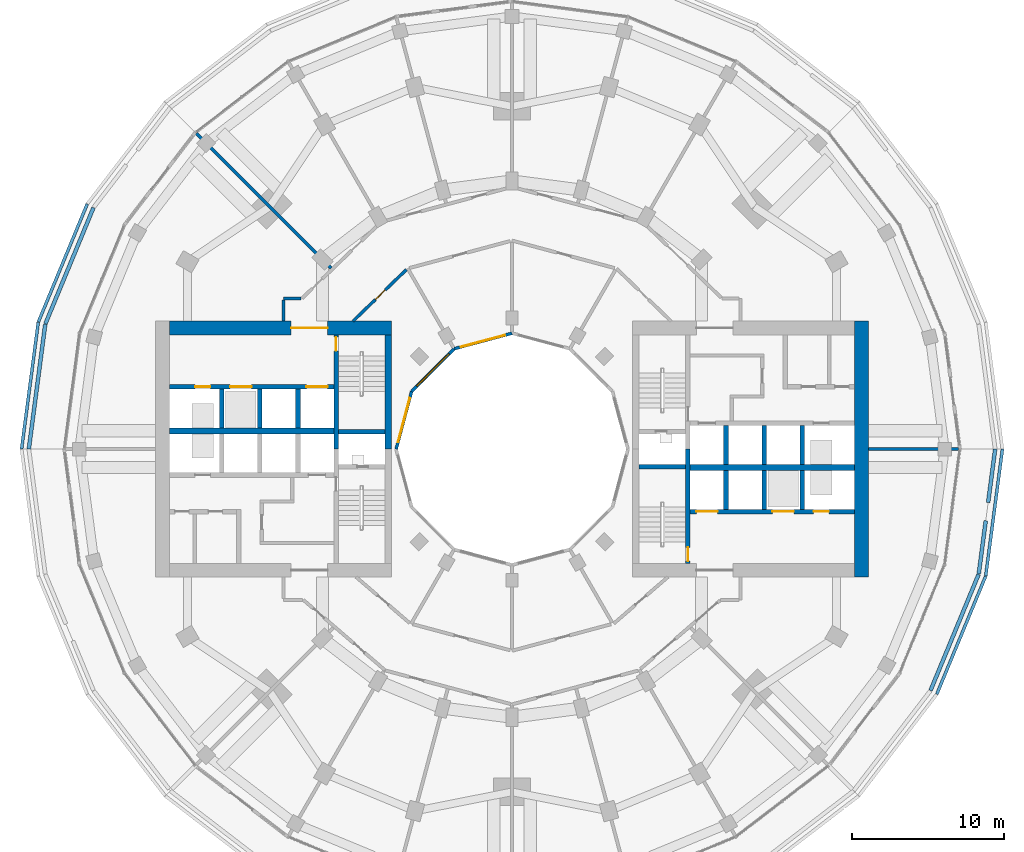
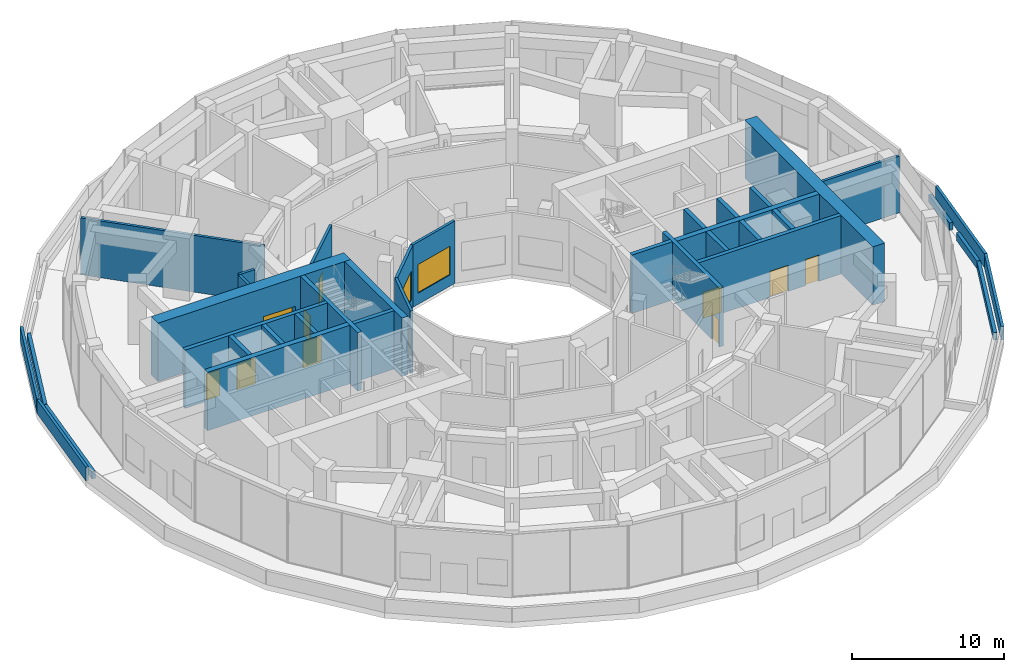
# One storey, part 14 of 19: 37 walls, 10 doors, 3 windows, 13 openings.
"""IFC4 building model written with IfcOpenShell, lengths in metres."""

from ifc_helpers import new_model, si_unit, direction, frame, frame_2d, origin, place, context, subcontext, project, spatial, rectangle, extrude, material, layer, layer_set, type_object, element, fill, save


model = new_model("IFC4")

# Units and contexts
model_context = context("Model", 3, precision=1e-05, world=origin(), true_north=direction((0.0, 1.0)))
body_context = subcontext(model_context, "Body", "Model", "MODEL_VIEW")
ifc_project = project(units=[si_unit("LENGTHUNIT", "METRE"), si_unit("AREAUNIT", "SQUARE_METRE"), si_unit("VOLUMEUNIT", "CUBIC_METRE"), si_unit("PLANEANGLEUNIT", "RADIAN"), si_unit("MASSUNIT", "GRAM", prefix="KILO")], contexts=[model_context])

# Site, building, storey
site_placement = place(None, origin())
site = spatial("IfcSite", under=ifc_project, at=site_placement, CompositionType="ELEMENT")
building_placement = place(site_placement, origin())
building = spatial("IfcBuilding", under=site, at=building_placement, Name="Torre Brocal", CompositionType="ELEMENT")
storey_placement = place(building_placement, frame((0.0, 0.0, 23.800048828125)))
storey = spatial("IfcBuildingStorey", under=building, at=storey_placement, Name="L04", CompositionType="ELEMENT", Elevation=23.800048828125)

# Wall, opening, door
ifc_material_1 = material(Name="Concrete C80", Category="concrete")
ifc_layer_1 = layer(ifc_material_1, 0.300048828125)
ifc_layer_set_1 = layer_set([ifc_layer_1], Name="Concrete C80")
wall_type_1 = type_object("IfcWallType", Name="CORE WALL 300 C80", PredefinedType="SHEAR", material=ifc_layer_set_1)
wall_1_placement = place(storey_placement, frame((91.550048828125, 67.5, 0.0), z_axis=(0.0, 0.0, 1.0), x_axis=(0.0, 1.0, 0.0)))
wall_1 = element("IfcWall", 1, at=wall_1_placement, inside=storey, type_object=wall_type_1, Name="Wall CW300-80", PredefinedType="SHEAR", context=body_context, shape_type="SweptSolid", body=[
    extrude(rectangle(XDim=7.5, YDim=0.300048828125, at=frame_2d((3.75, 0.0))), origin(), (0.0, 0.0, 1.0), 4.679931640625),
])
opening_1_placement = place(wall_1_placement, frame((0.14990234375, 0.0, 0.0)))
opening_1 = element("IfcOpeningElement", 2, at=opening_1_placement, cuts=wall_1, Name="Opening E-D03", PredefinedType="OPENING", context=body_context, shape_type="SweptSolid", body=[
    extrude(rectangle(XDim=0.89990234375, YDim=2.10009765625, at=frame_2d((0.449951171875, 1.050048828125))), frame((0.0, 0.159912109375, 0.0), z_axis=(0.0, -1.0, 0.0), x_axis=(1.0, 0.0, 0.0)), (0.0, 0.0, 1.0), 0.320068359375),
])
ifc_material_2 = material(Name="Steel A653", Category="steel")
door_type_1 = type_object("IfcDoorType", Name="STAIR DOOR FD120 900X2100", OperationType="SINGLE_SWING_RIGHT", PredefinedType="DOOR", material=ifc_material_2)
door_1_placement = place(opening_1_placement, origin())
door_1 = element("IfcDoor", 3, at=door_1_placement, inside=storey, type_object=door_type_1, Name="Door E-D03", OperationType="SINGLE_SWING_LEFT", OverallHeight=2.10009765625, OverallWidth=0.89990234375, PredefinedType="DOOR", context=body_context, shape_type="SweptSolid", body=[
    extrude(rectangle(XDim=0.89990234375, YDim=2.10009765625, at=frame_2d((0.449951171875, 1.050048828125))), frame((0.0, 0.02490234375, 0.0), z_axis=(0.0, -1.0, 0.0), x_axis=(1.0, 0.0, 0.0)), (0.0, 0.0, 1.0), 0.050048828125),
])
fill(opening_1, door_1)

# Wall
wall_2_placement = place(storey_placement, frame((88.35009765625, 73.85009765625, 0.0), z_axis=(0.0, 0.0, 1.0), x_axis=(1.0, 0.0, 0.0)))
element("IfcWall", 4, at=wall_2_placement, inside=storey, type_object=wall_type_1, Name="Wall CW300-80", PredefinedType="SHEAR", context=body_context, shape_type="SweptSolid", body=[
    extrude(rectangle(XDim=3.0498046875, YDim=0.300048828125, at=frame_2d((1.52490234375, 0.0))), origin(), (0.0, 0.0, 1.0), 4.679931640625),
])

# Wall, openings, doors
wall_3_placement = place(storey_placement, frame((91.699951171875, 70.89990234375, 0.0), z_axis=(0.0, 0.0, 1.0), x_axis=(1.0, 0.0, 0.0)))
wall_3 = element("IfcWall", 5, at=wall_3_placement, inside=storey, type_object=wall_type_1, Name="Wall CW300-80", PredefinedType="SHEAR", context=body_context, shape_type="SweptSolid", body=[
    extrude(rectangle(XDim=10.800048828125, YDim=0.300048828125, at=frame_2d((5.39990234375, 0.0))), origin(), (0.0, 0.0, 1.0), 4.679931640625),
])
opening_2_placement = place(wall_3_placement, frame((0.39990234375, 0.0, 0.0)))
opening_2 = element("IfcOpeningElement", 6, at=opening_2_placement, cuts=wall_3, Name="Opening LD14", PredefinedType="OPENING", context=body_context, shape_type="SweptSolid", body=[
    extrude(rectangle(XDim=1.39990234375, YDim=2.10009765625, at=frame_2d((0.699951171875, 1.050048828125))), frame((0.0, 0.159912109375, 0.0), z_axis=(0.0, -1.0, 0.0), x_axis=(1.0, 0.0, 0.0)), (0.0, 0.0, 1.0), 0.320068359375),
])
opening_3_placement = place(wall_3_placement, frame((5.39990234375, 0.0, 0.0)))
opening_3 = element("IfcOpeningElement", 7, at=opening_3_placement, cuts=wall_3, Name="Opening LD14", PredefinedType="OPENING", context=body_context, shape_type="SweptSolid", body=[
    extrude(rectangle(XDim=1.39990234375, YDim=2.10009765625, at=frame_2d((0.699951171875, 1.050048828125))), frame((0.0, 0.159912109375, 0.0), z_axis=(0.0, -1.0, 0.0), x_axis=(1.0, 0.0, 0.0)), (0.0, 0.0, 1.0), 0.320068359375),
])
opening_4_placement = place(wall_3_placement, frame((8.10009765625, 0.0, 0.0)))
opening_4 = element("IfcOpeningElement", 8, at=opening_4_placement, cuts=wall_3, Name="Opening LD10", PredefinedType="OPENING", context=body_context, shape_type="SweptSolid", body=[
    extrude(rectangle(XDim=1.0, YDim=2.10009765625, at=frame_2d((0.5, 1.050048828125))), frame((0.0, 0.159912109375, 0.0), z_axis=(0.0, -1.0, 0.0), x_axis=(1.0, 0.0, 0.0)), (0.0, 0.0, 1.0), 0.320068359375),
])
ifc_material_3 = material(Name="Stainless steel AISI 316", Category="steel")
door_type_2 = type_object("IfcDoorType", Name="LIFT LANDING DOOR 1000X2100", OperationType="DOUBLE_DOOR_SLIDING", PredefinedType="DOOR", material=ifc_material_3)
door_2_placement = place(opening_4_placement, origin())
door_2 = element("IfcDoor", 9, at=door_2_placement, inside=storey, type_object=door_type_2, Name="Door LD10", OperationType="DOUBLE_DOOR_SLIDING", OverallHeight=2.10009765625, OverallWidth=1.0, PredefinedType="DOOR", context=body_context, shape_type="SweptSolid", body=[
    extrude(rectangle(XDim=1.0, YDim=2.10009765625, at=frame_2d((0.5, 1.050048828125))), frame((0.0, 0.02490234375, 0.0), z_axis=(0.0, -1.0, 0.0), x_axis=(1.0, 0.0, 0.0)), (0.0, 0.0, 1.0), 0.050048828125),
])
fill(opening_4, door_2)
ifc_material_4 = material(Name="Stainless steel AISI 316", Category="steel")
door_type_3 = type_object("IfcDoorType", Name="LIFT LANDING DOOR 1400X2100", OperationType="DOUBLE_DOOR_SLIDING", PredefinedType="DOOR", material=ifc_material_4)
door_3_placement = place(opening_2_placement, origin())
door_3 = element("IfcDoor", 10, at=door_3_placement, inside=storey, type_object=door_type_3, Name="Door LD14", OperationType="DOUBLE_DOOR_SLIDING", OverallHeight=2.10009765625, OverallWidth=1.39990234375, PredefinedType="DOOR", context=body_context, shape_type="SweptSolid", body=[
    extrude(rectangle(XDim=1.39990234375, YDim=2.10009765625, at=frame_2d((0.699951171875, 1.050048828125))), frame((0.0, 0.02490234375, 0.0), z_axis=(0.0, -1.0, 0.0), x_axis=(1.0, 0.0, 0.0)), (0.0, 0.0, 1.0), 0.050048828125),
])
fill(opening_2, door_3)
door_4_placement = place(opening_3_placement, origin())
door_4 = element("IfcDoor", 11, at=door_4_placement, inside=storey, type_object=door_type_3, Name="Door LD14", OperationType="DOUBLE_DOOR_SLIDING", OverallHeight=2.10009765625, OverallWidth=1.39990234375, PredefinedType="DOOR", context=body_context, shape_type="SweptSolid", body=[
    extrude(rectangle(XDim=1.39990234375, YDim=2.10009765625, at=frame_2d((0.699951171875, 1.050048828125))), frame((0.0, 0.02490234375, 0.0), z_axis=(0.0, -1.0, 0.0), x_axis=(1.0, 0.0, 0.0)), (0.0, 0.0, 1.0), 0.050048828125),
])
fill(opening_3, door_4)

# Walls
for number, where, z_axis, x_axis, name in (
    (12, (94.050048828125, 74.0, 0.0), (0.0, 0.0, 1.0), (0.0, 1.0, 0.0), "Wall CW300-80"),
    (13, (96.550048828125, 74.0, 0.0), (0.0, 0.0, 1.0), (0.0, 1.0, 0.0), "Wall CW300-80"),
    (14, (99.050048828125, 74.0, 0.0), (0.0, 0.0, 1.0), (0.0, 1.0, 0.0), "Wall CW300-80"),
    (15, (94.050048828125, 71.050048828125, 0.0), (0.0, 0.0, 1.0), (0.0, 1.0, 0.0), "Wall CW300-80"),
    (16, (96.550048828125, 71.050048828125, 0.0), (0.0, 0.0, 1.0), (0.0, 1.0, 0.0), "Wall CW300-80"),
    (17, (99.050048828125, 71.050048828125, 0.0), (0.0, 0.0, 1.0), (0.0, 1.0, 0.0), "Wall CW300-80"),
):
    element("IfcWall", number, at=place(storey_placement, frame(where, z_axis=z_axis, x_axis=x_axis)), inside=storey, type_object=wall_type_1, Name=name, PredefinedType="SHEAR", context=body_context, shape_type="SweptSolid", body=[
        extrude(rectangle(XDim=2.550048828125, YDim=0.300048828125, at=frame_2d((1.27490234375, 0.0))), origin(), (0.0, 0.0, 1.0), 4.679931640625),
    ])

# Wall, opening, door
wall_4_placement = place(storey_placement, frame((68.449951171875, 82.5, 0.0), z_axis=(0.0, 0.0, 1.0), x_axis=(0.0, -1.0, 0.0)))
wall_4 = element("IfcWall", 18, at=wall_4_placement, inside=storey, type_object=wall_type_1, Name="Wall CW300-80", PredefinedType="SHEAR", context=body_context, shape_type="SweptSolid", body=[
    extrude(rectangle(XDim=7.5, YDim=0.300048828125, at=frame_2d((3.75, 0.0))), origin(), (0.0, 0.0, 1.0), 4.679931640625),
])
opening_5_placement = place(wall_4_placement, frame((0.14990234375, 0.0, 0.0)))
opening_5 = element("IfcOpeningElement", 19, at=opening_5_placement, cuts=wall_4, Name="Opening W-D03", PredefinedType="OPENING", context=body_context, shape_type="SweptSolid", body=[
    extrude(rectangle(XDim=0.89990234375, YDim=2.10009765625, at=frame_2d((0.449951171875, 1.050048828125))), frame((0.0, 0.159912109375, 0.0), z_axis=(0.0, -1.0, 0.0), x_axis=(1.0, 0.0, 0.0)), (0.0, 0.0, 1.0), 0.320068359375),
])
door_5_placement = place(opening_5_placement, origin())
door_5 = element("IfcDoor", 20, at=door_5_placement, inside=storey, type_object=door_type_1, Name="Door W-D03", OperationType="SINGLE_SWING_LEFT", OverallHeight=2.10009765625, OverallWidth=0.89990234375, PredefinedType="DOOR", context=body_context, shape_type="SweptSolid", body=[
    extrude(rectangle(XDim=0.89990234375, YDim=2.10009765625, at=frame_2d((0.449951171875, 1.050048828125))), frame((0.0, 0.02490234375, 0.0), z_axis=(0.0, -1.0, 0.0), x_axis=(1.0, 0.0, 0.0)), (0.0, 0.0, 1.0), 0.050048828125),
])
fill(opening_5, door_5)

# Wall
wall_5_placement = place(storey_placement, frame((71.64990234375, 76.14990234375, 0.0), z_axis=(0.0, 0.0, 1.0), x_axis=(-1.0, 0.0, 0.0)))
element("IfcWall", 21, at=wall_5_placement, inside=storey, type_object=wall_type_1, Name="Wall CW300-80", PredefinedType="SHEAR", context=body_context, shape_type="SweptSolid", body=[
    extrude(rectangle(XDim=3.0498046875, YDim=0.300048828125, at=frame_2d((1.52490234375, 0.0))), origin(), (0.0, 0.0, 1.0), 4.679931640625),
])

# Wall, openings, doors
wall_6_placement = place(storey_placement, frame((68.300048828125, 79.10009765625, 0.0), z_axis=(0.0, 0.0, 1.0), x_axis=(-1.0, 0.0, 0.0)))
wall_6 = element("IfcWall", 22, at=wall_6_placement, inside=storey, type_object=wall_type_1, Name="Wall CW300-80", PredefinedType="SHEAR", context=body_context, shape_type="SweptSolid", body=[
    extrude(rectangle(XDim=10.800048828125, YDim=0.300048828125, at=frame_2d((5.39990234375, 0.0))), origin(), (0.0, 0.0, 1.0), 4.679931640625),
])
opening_6_placement = place(wall_6_placement, frame((0.39990234375, 0.0, 0.0)))
opening_6 = element("IfcOpeningElement", 23, at=opening_6_placement, cuts=wall_6, Name="Opening LD14", PredefinedType="OPENING", context=body_context, shape_type="SweptSolid", body=[
    extrude(rectangle(XDim=1.39990234375, YDim=2.10009765625, at=frame_2d((0.699951171875, 1.050048828125))), frame((0.0, 0.159912109375, 0.0), z_axis=(0.0, -1.0, 0.0), x_axis=(1.0, 0.0, 0.0)), (0.0, 0.0, 1.0), 0.320068359375),
])
opening_7_placement = place(wall_6_placement, frame((5.39990234375, 0.0, 0.0)))
opening_7 = element("IfcOpeningElement", 24, at=opening_7_placement, cuts=wall_6, Name="Opening LD14", PredefinedType="OPENING", context=body_context, shape_type="SweptSolid", body=[
    extrude(rectangle(XDim=1.39990234375, YDim=2.10009765625, at=frame_2d((0.699951171875, 1.050048828125))), frame((0.0, 0.159912109375, 0.0), z_axis=(0.0, -1.0, 0.0), x_axis=(1.0, 0.0, 0.0)), (0.0, 0.0, 1.0), 0.320068359375),
])
opening_8_placement = place(wall_6_placement, frame((8.10009765625, 0.0, 0.0)))
opening_8 = element("IfcOpeningElement", 25, at=opening_8_placement, cuts=wall_6, Name="Opening LD10", PredefinedType="OPENING", context=body_context, shape_type="SweptSolid", body=[
    extrude(rectangle(XDim=1.0, YDim=2.10009765625, at=frame_2d((0.5, 1.050048828125))), frame((0.0, 0.159912109375, 0.0), z_axis=(0.0, -1.0, 0.0), x_axis=(1.0, 0.0, 0.0)), (0.0, 0.0, 1.0), 0.320068359375),
])
door_6_placement = place(opening_8_placement, origin())
door_6 = element("IfcDoor", 26, at=door_6_placement, inside=storey, type_object=door_type_2, Name="Door LD10", OperationType="DOUBLE_DOOR_SLIDING", OverallHeight=2.10009765625, OverallWidth=1.0, PredefinedType="DOOR", context=body_context, shape_type="SweptSolid", body=[
    extrude(rectangle(XDim=1.0, YDim=2.10009765625, at=frame_2d((0.5, 1.050048828125))), frame((0.0, 0.02490234375, 0.0), z_axis=(0.0, -1.0, 0.0), x_axis=(1.0, 0.0, 0.0)), (0.0, 0.0, 1.0), 0.050048828125),
])
fill(opening_8, door_6)
door_7_placement = place(opening_6_placement, origin())
door_7 = element("IfcDoor", 27, at=door_7_placement, inside=storey, type_object=door_type_3, Name="Door LD14", OperationType="DOUBLE_DOOR_SLIDING", OverallHeight=2.10009765625, OverallWidth=1.39990234375, PredefinedType="DOOR", context=body_context, shape_type="SweptSolid", body=[
    extrude(rectangle(XDim=1.39990234375, YDim=2.10009765625, at=frame_2d((0.699951171875, 1.050048828125))), frame((0.0, 0.02490234375, 0.0), z_axis=(0.0, -1.0, 0.0), x_axis=(1.0, 0.0, 0.0)), (0.0, 0.0, 1.0), 0.050048828125),
])
fill(opening_6, door_7)
door_8_placement = place(opening_7_placement, origin())
door_8 = element("IfcDoor", 28, at=door_8_placement, inside=storey, type_object=door_type_3, Name="Door LD14", OperationType="DOUBLE_DOOR_SLIDING", OverallHeight=2.10009765625, OverallWidth=1.39990234375, PredefinedType="DOOR", context=body_context, shape_type="SweptSolid", body=[
    extrude(rectangle(XDim=1.39990234375, YDim=2.10009765625, at=frame_2d((0.699951171875, 1.050048828125))), frame((0.0, 0.02490234375, 0.0), z_axis=(0.0, -1.0, 0.0), x_axis=(1.0, 0.0, 0.0)), (0.0, 0.0, 1.0), 0.050048828125),
])
fill(opening_7, door_8)

# Walls
for number, where, z_axis, x_axis, name in (
    (29, (65.949951171875, 78.949951171875, 0.0), (0.0, 0.0, 1.0), (0.0, -1.0, 0.0), "Wall CW300-80"),
    (30, (63.449951171875, 78.949951171875, 0.0), (0.0, 0.0, 1.0), (0.0, -1.0, 0.0), "Wall CW300-80"),
    (31, (60.949951171875, 78.949951171875, 0.0), (0.0, 0.0, 1.0), (0.0, -1.0, 0.0), "Wall CW300-80"),
):
    element("IfcWall", number, at=place(storey_placement, frame(where, z_axis=z_axis, x_axis=x_axis)), inside=storey, type_object=wall_type_1, Name=name, PredefinedType="SHEAR", context=body_context, shape_type="SweptSolid", body=[
        extrude(rectangle(XDim=2.550048828125, YDim=0.300048828125, at=frame_2d((1.27490234375, 0.0))), origin(), (0.0, 0.0, 1.0), 4.679931640625),
    ])
ifc_material_5 = material(Name="Concrete C80", Category="concrete")
ifc_layer_2 = layer(ifc_material_5, 0.39990234375)
ifc_layer_set_2 = layer_set([ifc_layer_2], Name="Concrete C80")
wall_type_2 = type_object("IfcWallType", Name="CORE WALL 400 C80", PredefinedType="SHEAR", material=ifc_layer_set_2)
for number, where, z_axis, x_axis, name in (
    (32, (91.699951171875, 73.800048828125, 0.0), (0.0, 0.0, 1.0), (1.0, 0.0, 0.0), "Wall CW400-80"),
    (33, (68.300048828125, 76.199951171875, 0.0), (0.0, 0.0, 1.0), (-1.0, 0.0, 0.0), "Wall CW400-80"),
):
    element("IfcWall", number, at=place(storey_placement, frame(where, z_axis=z_axis, x_axis=x_axis)), inside=storey, type_object=wall_type_2, Name=name, PredefinedType="SHEAR", context=body_context, shape_type="SweptSolid", body=[
        extrude(rectangle(XDim=10.800048828125, YDim=0.39990234375, at=frame_2d((5.39990234375, 0.0))), origin(), (0.0, 0.0, 1.0), 4.679931640625),
    ])
ifc_material_6 = material(Name="Concrete C80", Category="concrete")
ifc_layer_3 = layer(ifc_material_6, 0.449951171875)
ifc_layer_set_3 = layer_set([ifc_layer_3], Name="Concrete C80")
wall_type_3 = type_object("IfcWallType", Name="CORE WALL 450 C80", PredefinedType="SHEAR", material=ifc_layer_set_3)
wall_7_placement = place(storey_placement, frame((71.875, 82.5, 0.0), z_axis=(0.0, 0.0, 1.0), x_axis=(0.0, -1.0, 0.0)))
element("IfcWall", 34, at=wall_7_placement, inside=storey, type_object=wall_type_3, Name="Wall CW450-80", PredefinedType="SHEAR", context=body_context, shape_type="SweptSolid", body=[
    extrude(rectangle(XDim=7.5, YDim=0.449951171875, at=frame_2d((3.75, 0.0))), origin(), (0.0, 0.0, 1.0), 4.679931640625),
])
ifc_material_7 = material(Name="Concrete C80", Category="concrete")
ifc_layer_4 = layer(ifc_material_7, 0.89990234375)
ifc_layer_set_4 = layer_set([ifc_layer_4], Name="Concrete C80")
wall_type_4 = type_object("IfcWallType", Name="CORE WALL 900 C80", PredefinedType="SHEAR", material=ifc_layer_set_4)
wall_8_placement = place(storey_placement, frame((102.949951171875, 66.60009765625, 0.0), z_axis=(0.0, 0.0, 1.0), x_axis=(0.0, 1.0, 0.0)))
element("IfcWall", 35, at=wall_8_placement, inside=storey, type_object=wall_type_4, Name="Wall CW900-80", PredefinedType="SHEAR", context=body_context, shape_type="SweptSolid", body=[
    extrude(rectangle(XDim=16.7998046875, YDim=0.89990234375, at=frame_2d((8.39990234375, 0.0))), origin(), (0.0, 0.0, 1.0), 4.679931640625),
])

# Wall, opening, door
wall_9_placement = place(storey_placement, frame((72.10009765625, 82.949951171875, 0.0), z_axis=(0.0, 0.0, 1.0), x_axis=(-1.0, 0.0, 0.0)))
wall_9 = element("IfcWall", 36, at=wall_9_placement, inside=storey, type_object=wall_type_4, Name="Wall CW900-80", PredefinedType="SHEAR", context=body_context, shape_type="SweptSolid", body=[
    extrude(rectangle(XDim=14.60009765625, YDim=0.89990234375, at=frame_2d((7.300048828125, 0.0))), origin(), (0.0, 0.0, 1.0), 4.679931640625),
])
opening_9_placement = place(wall_9_placement, frame((4.199951171875, 0.0, 0.0)))
opening_9 = element("IfcOpeningElement", 37, at=opening_9_placement, cuts=wall_9, Name="Opening W-D27", PredefinedType="OPENING", context=body_context, shape_type="SweptSolid", body=[
    extrude(rectangle(XDim=2.39990234375, YDim=2.39990234375, at=frame_2d((1.199951171875, 1.199951171875))), frame((0.0, 0.4599609375, 0.0), z_axis=(0.0, -1.0, 0.0), x_axis=(1.0, 0.0, 0.0)), (0.0, 0.0, 1.0), 0.919921875),
])
ifc_material_8 = material(Name="Steel A653", Category="steel")
door_type_4 = type_object("IfcDoorType", Name="DOUBLE FIRE DOOR FD90 2400X2400", OperationType="DOUBLE_DOOR_SINGLE_SWING", PredefinedType="DOOR", material=ifc_material_8)
door_9_placement = place(opening_9_placement, origin())
door_9 = element("IfcDoor", 38, at=door_9_placement, inside=storey, type_object=door_type_4, Name="Door W-D27", OperationType="DOUBLE_DOOR_SINGLE_SWING", OverallHeight=2.39990234375, OverallWidth=2.39990234375, PredefinedType="DOOR", context=body_context, shape_type="SweptSolid", body=[
    extrude(rectangle(XDim=2.39990234375, YDim=2.39990234375, at=frame_2d((1.199951171875, 1.199951171875))), frame((0.0, 0.02490234375, 0.0), z_axis=(0.0, -1.0, 0.0), x_axis=(1.0, 0.0, 0.0)), (0.0, 0.0, 1.0), 0.050048828125),
])
fill(opening_9, door_9)

# Walls
ifc_material_9 = material(Name="Concrete C40", Category="concrete")
ifc_layer_5 = layer(ifc_material_9, 0.199951171875)
ifc_layer_set_5 = layer_set([ifc_layer_5], Name="Concrete C40")
wall_type_5 = type_object("IfcWallType", Name="PARAPET WALL 200 THICK 1100 HIGH 4", PredefinedType="PARAPET", material=ifc_layer_set_5)
wall_10_placement = place(storey_placement, frame((112.197509765625, 75.0, 0.0), z_axis=(0.0, 0.0, 1.0), x_axis=(-0.130534281522, -0.991443796363, 0.0)))
element("IfcWall", 39, at=wall_10_placement, inside=storey, type_object=wall_type_5, Name="PARAPET WALL 1", PredefinedType="PARAPET", context=body_context, shape_type="SweptSolid", body=[
    extrude(rectangle(XDim=8.39208984375, YDim=0.199951171875, at=frame_2d((4.196044921875, 0.0))), origin(), (0.0, 0.0, 1.0), 1.099853515625),
])
wall_11_placement = place(storey_placement, frame((111.09521484375, 66.654541015625, 0.0), z_axis=(0.0, 0.0, 1.0), x_axis=(-0.382671757338, -0.923884368379, 0.0)))
element("IfcWall", 40, at=wall_11_placement, inside=storey, type_object=wall_type_5, Name="PARAPET WALL 2", PredefinedType="PARAPET", context=body_context, shape_type="SweptSolid", body=[
    extrude(rectangle(XDim=8.378662109375, YDim=0.199951171875, at=frame_2d((4.189453125, 0.0))), origin(), (0.0, 0.0, 1.0), 1.099853515625),
])
wall_12_placement = place(storey_placement, frame((47.80419921875, 75.012939453125, 0.0), z_axis=(0.0, 0.0, 1.0), x_axis=(0.13053365207, 0.991443879237, 0.0)))
element("IfcWall", 41, at=wall_12_placement, inside=storey, type_object=wall_type_5, Name="PARAPET WALL 13", PredefinedType="PARAPET", context=body_context, shape_type="SweptSolid", body=[
    extrude(rectangle(XDim=8.379150390625, YDim=0.199951171875, at=frame_2d((4.189453125, 0.0))), origin(), (0.0, 0.0, 1.0), 1.099853515625),
])
wall_13_placement = place(storey_placement, frame((48.90478515625, 83.345458984375, 0.0), z_axis=(0.0, 0.0, 1.0), x_axis=(0.382671757338, 0.923884368379, 0.0)))
element("IfcWall", 42, at=wall_13_placement, inside=storey, type_object=wall_type_5, Name="PARAPET WALL 14", PredefinedType="PARAPET", context=body_context, shape_type="SweptSolid", body=[
    extrude(rectangle(XDim=8.378662109375, YDim=0.199951171875, at=frame_2d((4.189453125, 0.0))), origin(), (0.0, 0.0, 1.0), 1.099853515625),
])
ifc_material_10 = material(Name="Gypsum board", Category="Gypsum")
ifc_layer_6 = layer(ifc_material_10, 0.199951171875)
ifc_layer_set_6 = layer_set([ifc_layer_6], Name="Gypsum board")
wall_type_6 = type_object("IfcWallType", Name="PARTITION 200 EI60", PredefinedType="PARTITIONING", material=ifc_layer_set_6)
wall_14_placement = place(storey_placement, frame((59.28369140625, 95.71630859375, 0.0), z_axis=(0.0, 0.0, 1.0), x_axis=(0.707106781187, -0.707106781187, 0.0)))
element("IfcWall", 43, at=wall_14_placement, inside=storey, type_object=wall_type_6, Name="PARTY PARTITION", PredefinedType="PARTITIONING", context=body_context, shape_type="SweptSolid", body=[
    extrude(rectangle(XDim=12.492431640625, YDim=0.199951171875, at=frame_2d((6.24609375, 0.0))), origin(), (0.0, 0.0, 1.0), 4.550048828125),
])
wall_15_placement = place(storey_placement, frame((65.0, 83.40087890625, 0.0), z_axis=(0.0, 0.0, 1.0), x_axis=(0.0, 1.0, 0.0)))
element("IfcWall", 44, at=wall_15_placement, inside=storey, type_object=wall_type_6, Name="CORRIDOR WALL", PredefinedType="PARTITIONING", context=body_context, shape_type="SweptSolid", body=[
    extrude(rectangle(XDim=1.399169921875, YDim=0.199951171875, at=frame_2d((0.69970703125, 0.0))), origin(), (0.0, 0.0, 1.0), 4.550048828125),
])
wall_16_placement = place(storey_placement, frame((65.0, 84.89990234375, 0.0), z_axis=(0.0, 0.0, 1.0), x_axis=(1.0, 0.0, 0.0)))
element("IfcWall", 45, at=wall_16_placement, inside=storey, type_object=wall_type_6, Name="CORRIDOR WALL", PredefinedType="PARTITIONING", context=body_context, shape_type="SweptSolid", body=[
    extrude(rectangle(XDim=1.159912109375, YDim=0.199951171875, at=frame_2d((0.580078125, 0.0))), origin(), (0.0, 0.0, 1.0), 4.550048828125),
])

# Wall, opening, door
wall_17_placement = place(storey_placement, frame((69.56298828125, 83.39990234375, 0.0), z_axis=(0.0, 0.0, 1.0), x_axis=(0.719454254864, 0.694539829785, 0.0)))
wall_17 = element("IfcWall", 46, at=wall_17_placement, inside=storey, type_object=wall_type_6, Name="CORRIDOR WALL", PredefinedType="PARTITIONING", context=body_context, shape_type="SweptSolid", body=[
    extrude(rectangle(XDim=4.8603515625, YDim=0.199951171875, at=frame_2d((2.43017578125, 0.0))), origin(), (0.0, 0.0, 1.0), 4.550048828125),
])
opening_10_placement = place(wall_17_placement, frame((2.03515625, 0.0, 0.0)))
opening_10 = element("IfcOpeningElement", 47, at=opening_10_placement, cuts=wall_17, Name="Opening PD4-D11", PredefinedType="OPENING", context=body_context, shape_type="SweptSolid", body=[
    extrude(rectangle(XDim=0.89990234375, YDim=2.10009765625, at=frame_2d((0.449951171875, 1.050048828125))), frame((0.0, 0.10986328125, 0.0), z_axis=(0.0, -1.0, 0.0), x_axis=(1.0, 0.0, 0.0)), (0.0, 0.0, 1.0), 0.219970703125),
])
ifc_material_11 = material(Name="Timber", Category="wood")
door_type_5 = type_object("IfcDoorType", Name="ROOM DOOR 900X2100", OperationType="SINGLE_SWING_LEFT", PredefinedType="DOOR", material=ifc_material_11)
door_10_placement = place(opening_10_placement, frame((0.89990234375, 0.0, 0.0), z_axis=(0.0, 0.0, 1.0), x_axis=(-1.0, 0.0, 0.0)))
door_10 = element("IfcDoor", 48, at=door_10_placement, inside=storey, type_object=door_type_5, Name="PD4-D11", OperationType="SINGLE_SWING_RIGHT", OverallHeight=2.10009765625, OverallWidth=0.89990234375, PredefinedType="DOOR", context=body_context, shape_type="SweptSolid", body=[
    extrude(rectangle(XDim=0.89990234375, YDim=2.10009765625, at=frame_2d((0.449951171875, 1.050048828125))), frame((0.0, 0.02490234375, 0.0), z_axis=(0.0, -1.0, 0.0), x_axis=(1.0, 0.0, 0.0)), (0.0, 0.0, 1.0), 0.050048828125),
])
fill(opening_10, door_10)

# Walls
wall_18_placement = place(storey_placement, frame((103.40087890625, 75.0, 0.0), z_axis=(0.0, 0.0, 1.0), x_axis=(1.0, 0.0, 0.0)))
element("IfcWall", 49, at=wall_18_placement, inside=storey, type_object=wall_type_6, Name="PARTY PARTITION", PredefinedType="PARTITIONING", context=body_context, shape_type="SweptSolid", body=[
    extrude(rectangle(XDim=5.896240234375, YDim=0.199951171875, at=frame_2d((2.9482421875, 0.0))), origin(), (0.0, 0.0, 1.0), 4.550048828125),
])
ifc_material_12 = material(Name="Concrete C35", Category="concrete")
ifc_layer_7 = layer(ifc_material_12, 0.25)
ifc_layer_set_7 = layer_set([ifc_layer_7], Name="Concrete C35")
wall_type_7 = type_object("IfcWallType", Name="PLANTER WALL 250 THICK 600 HIGH 4", PredefinedType="USERDEFINED", material=ifc_layer_set_7)
wall_19_placement = place(storey_placement, frame((48.281005859375, 75.0, 0.0), z_axis=(0.0, 0.0, 1.0), x_axis=(0.130522528341, 0.991445343726, 0.0)))
element("IfcWall", 50, at=wall_19_placement, inside=storey, type_object=wall_type_7, Name="PLANTER", ObjectType="PLANTER", PredefinedType="USERDEFINED", context=body_context, shape_type="SweptSolid", body=[
    extrude(rectangle(XDim=8.263916015625, YDim=0.25, at=frame_2d((4.1318359375, 0.0))), origin(), (0.0, 0.0, 1.0), 0.599853515625),
])
wall_20_placement = place(storey_placement, frame((49.3681640625, 83.224609375, 0.0), z_axis=(0.0, 0.0, 1.0), x_axis=(0.382668138606, 0.923885867246, 0.0)))
element("IfcWall", 51, at=wall_20_placement, inside=storey, type_object=wall_type_7, Name="PLANTER", ObjectType="PLANTER", PredefinedType="USERDEFINED", context=body_context, shape_type="SweptSolid", body=[
    extrude(rectangle(XDim=8.247314453125, YDim=0.25, at=frame_2d((4.12353515625, 0.0))), origin(), (0.0, 0.0, 1.0), 0.599853515625),
])
wall_21_placement = place(storey_placement, frame((111.718994140625, 75.0, 0.0), z_axis=(0.0, 0.0, 1.0), x_axis=(-0.130550847075, -0.991441615189, 0.0)))
element("IfcWall", 52, at=wall_21_placement, inside=storey, type_object=wall_type_7, Name="PLANTER", ObjectType="PLANTER", PredefinedType="USERDEFINED", context=body_context, shape_type="SweptSolid", body=[
    extrude(rectangle(XDim=3.5400390625, YDim=0.25, at=frame_2d((1.77001953125, 0.0))), origin(), (0.0, 0.0, 1.0), 0.599853515625),
])
wall_22_placement = place(storey_placement, frame((111.100341796875, 70.30029296875, 0.0), z_axis=(0.0, 0.0, 1.0), x_axis=(-0.130538752073, -0.991443207757, 0.0)))
element("IfcWall", 53, at=wall_22_placement, inside=storey, type_object=wall_type_7, Name="PLANTER", ObjectType="PLANTER", PredefinedType="USERDEFINED", context=body_context, shape_type="SweptSolid", body=[
    extrude(rectangle(XDim=3.5234375, YDim=0.25, at=frame_2d((1.76171875, 0.0))), origin(), (0.0, 0.0, 1.0), 0.599853515625),
])
wall_23_placement = place(storey_placement, frame((110.6318359375, 66.775390625, 0.0), z_axis=(0.0, 0.0, 1.0), x_axis=(-0.382668138606, -0.923885867246, 0.0)))
element("IfcWall", 54, at=wall_23_placement, inside=storey, type_object=wall_type_7, Name="PLANTER", ObjectType="PLANTER", PredefinedType="USERDEFINED", context=body_context, shape_type="SweptSolid", body=[
    extrude(rectangle(XDim=8.247314453125, YDim=0.25, at=frame_2d((4.12353515625, 0.0))), origin(), (0.0, 0.0, 1.0), 0.599853515625),
])

# Wall, opening, window
ifc_material_13 = material(Name="Concrete C40", Category="concrete")
ifc_layer_8 = layer(ifc_material_13, 0.199951171875)
ifc_layer_set_8 = layer_set([ifc_layer_8], Name="Concrete C40")
wall_type_8 = type_object("IfcWallType", Name="WELL FACADE WALL 200", PredefinedType="NOTDEFINED", material=ifc_layer_set_8)
wall_24_placement = place(storey_placement, frame((80.0, 82.603515625, 0.0), z_axis=(0.0, 0.0, 1.0), x_axis=(-0.965933654434, -0.258789828301, 0.0)))
wall_24 = element("IfcWall", 55, at=wall_24_placement, inside=storey, type_object=wall_type_8, Name="WELL FACADE WALL", PredefinedType="NOTDEFINED", context=body_context, shape_type="SweptSolid", body=[
    extrude(rectangle(XDim=3.935791015625, YDim=0.199951171875, at=frame_2d((1.9677734375, 0.0))), origin(), (0.0, 0.0, 1.0), 5.0),
])
opening_11_placement = place(wall_24_placement, frame((0.468017578125, 0.0, 0.89990234375)))
opening_11 = element("IfcOpeningElement", 56, at=opening_11_placement, cuts=wall_24, Name="Opening W1", PredefinedType="OPENING", context=body_context, shape_type="SweptSolid", body=[
    extrude(rectangle(XDim=3.0, YDim=2.300048828125, at=frame_2d((1.5, 1.14990234375))), frame((0.0, 0.10986328125, 0.0), z_axis=(0.0, -1.0, 0.0), x_axis=(1.0, 0.0, 0.0)), (0.0, 0.0, 1.0), 0.219970703125),
])
ifc_material_14 = material(Name="Aluminium and glass", Category="aluminium")
window_type = type_object("IfcWindowType", Name="WELL WINDOW 3000X2300", PartitioningType="SINGLE_PANEL", PredefinedType="WINDOW", material=ifc_material_14)
window_1_placement = place(opening_11_placement, origin())
window_1 = element("IfcWindow", 57, at=window_1_placement, inside=storey, type_object=window_type, Name="WELL WINDOW 3000X2300", OverallHeight=2.300048828125, OverallWidth=3.0, PartitioningType="SINGLE_PANEL", PredefinedType="WINDOW", context=body_context, shape_type="SweptSolid", body=[
    extrude(rectangle(XDim=3.0, YDim=2.300048828125, at=frame_2d((1.5, 1.14990234375))), frame((0.0, 0.030029296875, 0.0), z_axis=(0.0, -1.0, 0.0), x_axis=(1.0, 0.0, 0.0)), (0.0, 0.0, 1.0), 0.06005859375),
])
fill(opening_11, window_1)

wall_25_placement = place(storey_placement, frame((76.1982421875, 81.5849609375, 0.0), z_axis=(0.0, 0.0, 1.0), x_axis=(-0.707106781187, -0.707106781187, 0.0)))
wall_25 = element("IfcWall", 58, at=wall_25_placement, inside=storey, type_object=wall_type_8, Name="WELL FACADE WALL", PredefinedType="NOTDEFINED", context=body_context, shape_type="SweptSolid", body=[
    extrude(rectangle(XDim=3.93603515625, YDim=0.199951171875, at=frame_2d((1.968017578125, 0.0))), origin(), (0.0, 0.0, 1.0), 5.0),
])
opening_12_placement = place(wall_25_placement, frame((0.468017578125, 0.0, 0.89990234375)))
opening_12 = element("IfcOpeningElement", 59, at=opening_12_placement, cuts=wall_25, Name="Opening W1", PredefinedType="OPENING", context=body_context, shape_type="SweptSolid", body=[
    extrude(rectangle(XDim=3.0, YDim=2.300048828125, at=frame_2d((1.5, 1.14990234375))), frame((0.0, 0.10986328125, 0.0), z_axis=(0.0, -1.0, 0.0), x_axis=(1.0, 0.0, 0.0)), (0.0, 0.0, 1.0), 0.219970703125),
])
window_2_placement = place(opening_12_placement, origin())
window_2 = element("IfcWindow", 60, at=window_2_placement, inside=storey, type_object=window_type, Name="WELL WINDOW 3000X2300", OverallHeight=2.300048828125, OverallWidth=3.0, PartitioningType="SINGLE_PANEL", PredefinedType="WINDOW", context=body_context, shape_type="SweptSolid", body=[
    extrude(rectangle(XDim=3.0, YDim=2.300048828125, at=frame_2d((1.5, 1.14990234375))), frame((0.0, 0.030029296875, 0.0), z_axis=(0.0, -1.0, 0.0), x_axis=(1.0, 0.0, 0.0)), (0.0, 0.0, 1.0), 0.06005859375),
])
fill(opening_12, window_2)

wall_26_placement = place(storey_placement, frame((73.4150390625, 78.8017578125, 0.0), z_axis=(0.0, 0.0, 1.0), x_axis=(-0.258789828301, -0.965933654434, 0.0)))
wall_26 = element("IfcWall", 61, at=wall_26_placement, inside=storey, type_object=wall_type_8, Name="WELL FACADE WALL", PredefinedType="NOTDEFINED", context=body_context, shape_type="SweptSolid", body=[
    extrude(rectangle(XDim=3.935791015625, YDim=0.199951171875, at=frame_2d((1.9677734375, 0.0))), origin(), (0.0, 0.0, 1.0), 5.0),
])
opening_13_placement = place(wall_26_placement, frame((0.468017578125, 0.0, 0.89990234375)))
opening_13 = element("IfcOpeningElement", 62, at=opening_13_placement, cuts=wall_26, Name="Opening W1", PredefinedType="OPENING", context=body_context, shape_type="SweptSolid", body=[
    extrude(rectangle(XDim=3.0, YDim=2.300048828125, at=frame_2d((1.5, 1.14990234375))), frame((0.0, 0.10986328125, 0.0), z_axis=(0.0, -1.0, 0.0), x_axis=(1.0, 0.0, 0.0)), (0.0, 0.0, 1.0), 0.219970703125),
])
window_3_placement = place(opening_13_placement, origin())
window_3 = element("IfcWindow", 63, at=window_3_placement, inside=storey, type_object=window_type, Name="WELL WINDOW 3000X2300", OverallHeight=2.300048828125, OverallWidth=3.0, PartitioningType="SINGLE_PANEL", PredefinedType="WINDOW", context=body_context, shape_type="SweptSolid", body=[
    extrude(rectangle(XDim=3.0, YDim=2.300048828125, at=frame_2d((1.5, 1.14990234375))), frame((0.0, 0.030029296875, 0.0), z_axis=(0.0, -1.0, 0.0), x_axis=(1.0, 0.0, 0.0)), (0.0, 0.0, 1.0), 0.06005859375),
])
fill(opening_13, window_3)

save(model, "model.ifc")
